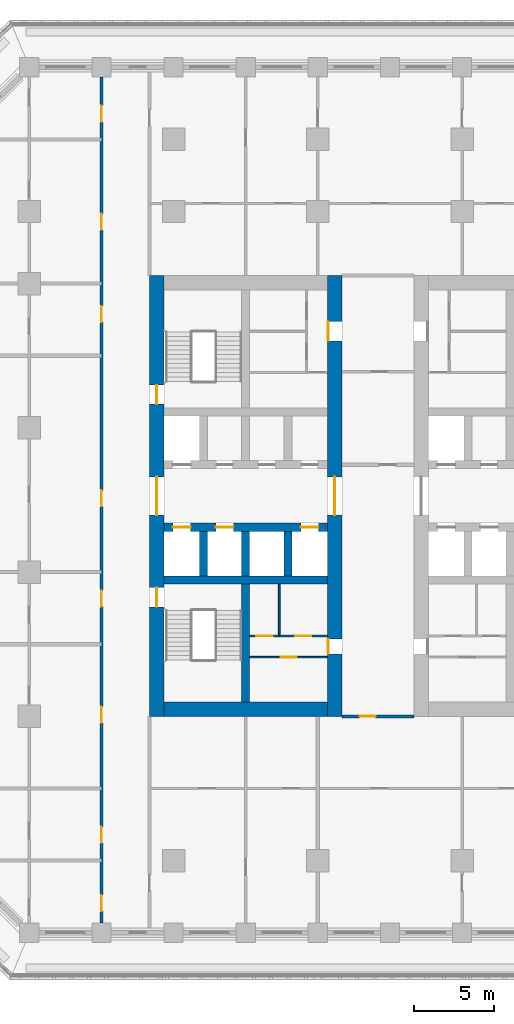
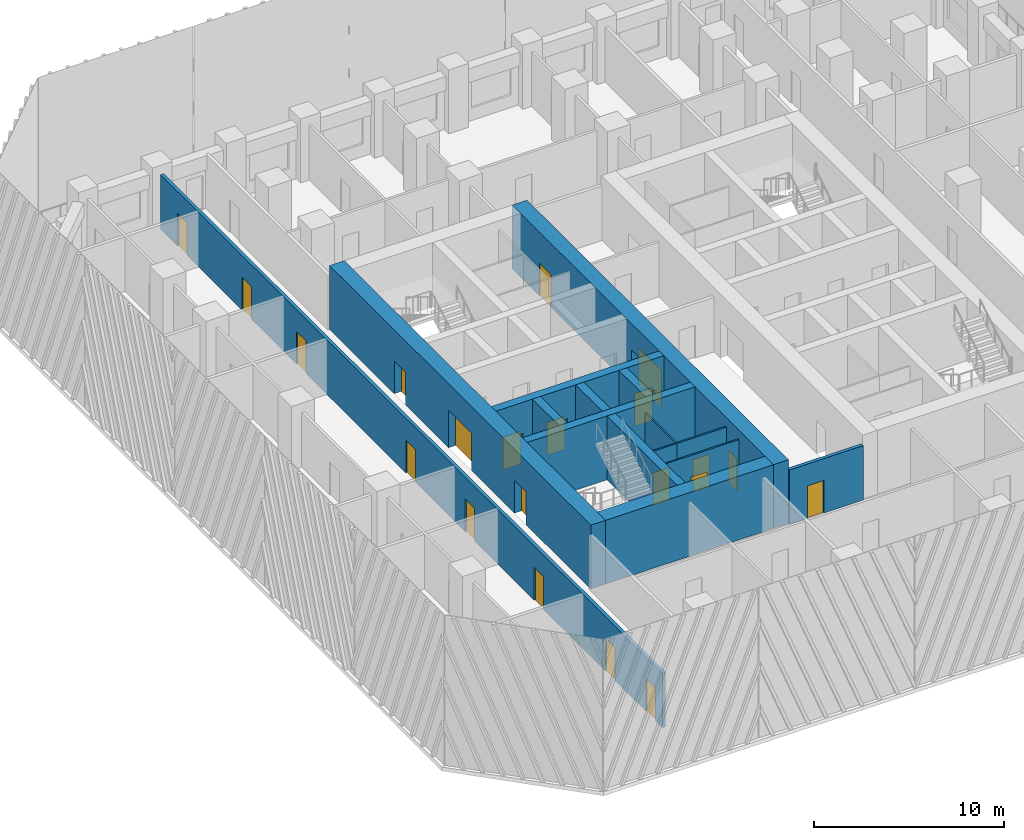
# One storey, part 4 of 20: 21 doors, 15 walls, 21 openings.
"""IFC4 building model written with IfcOpenShell, lengths in metres."""

from ifc_helpers import new_model, si_unit, direction, frame, frame_2d, origin, place, context, subcontext, project, spatial, rectangle, extrude, material, layer, layer_set, type_object, element, fill, save


model = new_model("IFC4")

# Units and contexts
model_context = context("Model", 3, precision=1e-05, world=origin(), true_north=direction((0.0, 1.0)))
body_context = subcontext(model_context, "Body", "Model", "MODEL_VIEW")
ifc_project = project(units=[si_unit("LENGTHUNIT", "METRE"), si_unit("AREAUNIT", "SQUARE_METRE"), si_unit("VOLUMEUNIT", "CUBIC_METRE"), si_unit("PLANEANGLEUNIT", "RADIAN"), si_unit("MASSUNIT", "GRAM", prefix="KILO")], contexts=[model_context])

# Site, building, storey
site_placement = place(None, origin())
site = spatial("IfcSite", under=ifc_project, at=site_placement, CompositionType="ELEMENT")
building_placement = place(site_placement, origin())
building = spatial("IfcBuilding", under=site, at=building_placement, Name="Corbel Stack Research Tower", CompositionType="ELEMENT")
storey_placement = place(building_placement, frame((0.0, 0.0, 106.60009765625)))
storey = spatial("IfcBuildingStorey", under=building, at=storey_placement, Name="L24", CompositionType="ELEMENT", Elevation=106.60009765625)

# Wall
ifc_material_1 = material(Name="Concrete C70/85", Category="concrete")
ifc_layer_1 = layer(ifc_material_1, 0.5)
ifc_layer_set_1 = layer_set([ifc_layer_1], Name="Concrete C70/85")
wall_type_1 = type_object("IfcWallType", Name="CW-500-70", PredefinedType="SHEAR", material=ifc_layer_set_1)
wall_1_placement = place(storey_placement, frame((-9.60009765625, -0.5, 0.0), z_axis=(0.0, 0.0, 1.0), x_axis=(1.0, 0.0, 0.0)))
element("IfcWall", 1, at=wall_1_placement, inside=storey, type_object=wall_type_1, Name="West core wall, south row back L24", PredefinedType="SHEAR", context=body_context, shape_type="SweptSolid", body=[
    extrude(rectangle(XDim=10.2001953125, YDim=0.5, at=frame_2d((5.10009765625, 0.0))), origin(), (0.0, 0.0, 1.0), 4.099853515625),
])

# Wall, openings, doors
wall_2_placement = place(storey_placement, frame((-9.60009765625, 2.800048828125, 0.0), z_axis=(0.0, 0.0, 1.0), x_axis=(1.0, 0.0, 0.0)))
wall_2 = element("IfcWall", 2, at=wall_2_placement, inside=storey, type_object=wall_type_1, Name="West core wall, lobby south L24", PredefinedType="SHEAR", context=body_context, shape_type="SweptSolid", body=[
    extrude(rectangle(XDim=10.2001953125, YDim=0.5, at=frame_2d((5.10009765625, 0.0))), origin(), (0.0, 0.0, 1.0), 4.099853515625),
])
opening_1_placement = place(wall_2_placement, frame((0.5625, 0.0, 0.0)))
opening_1 = element("IfcOpeningElement", 3, at=opening_1_placement, cuts=wall_2, Name="Opening LD-FS1", PredefinedType="OPENING", context=body_context, shape_type="SweptSolid", body=[
    extrude(rectangle(XDim=1.10009765625, YDim=2.10009765625, at=frame_2d((0.550048828125, 1.050048828125))), frame((0.0, 0.260009765625, 0.0), z_axis=(0.0, -1.0, 0.0), x_axis=(1.0, 0.0, 0.0)), (0.0, 0.0, 1.0), 0.52001953125),
])
opening_2_placement = place(wall_2_placement, frame((3.237548828125, 0.0, 0.0)))
opening_2 = element("IfcOpeningElement", 4, at=opening_2_placement, cuts=wall_2, Name="Opening LD-GL1", PredefinedType="OPENING", context=body_context, shape_type="SweptSolid", body=[
    extrude(rectangle(XDim=1.10009765625, YDim=2.10009765625, at=frame_2d((0.550048828125, 1.050048828125))), frame((0.0, 0.260009765625, 0.0), z_axis=(0.0, -1.0, 0.0), x_axis=(1.0, 0.0, 0.0)), (0.0, 0.0, 1.0), 0.52001953125),
])
opening_3_placement = place(wall_2_placement, frame((8.53759765625, 0.0, 0.0)))
opening_3 = element("IfcOpeningElement", 5, at=opening_3_placement, cuts=wall_2, Name="Opening LD-LR1", PredefinedType="OPENING", context=body_context, shape_type="SweptSolid", body=[
    extrude(rectangle(XDim=1.10009765625, YDim=2.10009765625, at=frame_2d((0.550048828125, 1.050048828125))), frame((0.0, 0.260009765625, 0.0), z_axis=(0.0, -1.0, 0.0), x_axis=(1.0, 0.0, 0.0)), (0.0, 0.0, 1.0), 0.52001953125),
])
ifc_material_2 = material(Name="Stainless steel landing door", Category="steel")
door_type_1 = type_object("IfcDoorType", Name="Lift landing door 1100 x 2100", OperationType="DOUBLE_DOOR_SLIDING", PredefinedType="DOOR", material=ifc_material_2)
door_1_placement = place(opening_1_placement, origin())
door_1 = element("IfcDoor", 6, at=door_1_placement, inside=storey, type_object=door_type_1, Name="Landing door FS1", OperationType="DOUBLE_DOOR_SLIDING", OverallHeight=2.10009765625, OverallWidth=1.10009765625, PredefinedType="DOOR", context=body_context, shape_type="SweptSolid", body=[
    extrude(rectangle(XDim=1.10009765625, YDim=2.10009765625, at=frame_2d((0.550048828125, 1.050048828125))), frame((0.0, 0.02490234375, 0.0), z_axis=(0.0, -1.0, 0.0), x_axis=(1.0, 0.0, 0.0)), (0.0, 0.0, 1.0), 0.050048828125),
])
fill(opening_1, door_1)
door_2_placement = place(opening_2_placement, origin())
door_2 = element("IfcDoor", 7, at=door_2_placement, inside=storey, type_object=door_type_1, Name="Landing door GL1", OperationType="DOUBLE_DOOR_SLIDING", OverallHeight=2.10009765625, OverallWidth=1.10009765625, PredefinedType="DOOR", context=body_context, shape_type="SweptSolid", body=[
    extrude(rectangle(XDim=1.10009765625, YDim=2.10009765625, at=frame_2d((0.550048828125, 1.050048828125))), frame((0.0, 0.02490234375, 0.0), z_axis=(0.0, -1.0, 0.0), x_axis=(1.0, 0.0, 0.0)), (0.0, 0.0, 1.0), 0.050048828125),
])
fill(opening_2, door_2)
door_3_placement = place(opening_3_placement, origin())
door_3 = element("IfcDoor", 8, at=door_3_placement, inside=storey, type_object=door_type_1, Name="Landing door LR1", OperationType="DOUBLE_DOOR_SLIDING", OverallHeight=2.10009765625, OverallWidth=1.10009765625, PredefinedType="DOOR", context=body_context, shape_type="SweptSolid", body=[
    extrude(rectangle(XDim=1.10009765625, YDim=2.10009765625, at=frame_2d((0.550048828125, 1.050048828125))), frame((0.0, 0.02490234375, 0.0), z_axis=(0.0, -1.0, 0.0), x_axis=(1.0, 0.0, 0.0)), (0.0, 0.0, 1.0), 0.050048828125),
])
fill(opening_3, door_3)

# Walls
for number, where, z_axis, x_axis, name in (
    (9, (-7.125, -0.25, 0.0), (0.0, 0.0, 1.0), (0.0, 1.0, 0.0), "West core wall, south shaft 1 L24"),
    (10, (-4.5, -0.25, 0.0), (0.0, 0.0, 1.0), (0.0, 1.0, 0.0), "West core wall, south shaft 2 L24"),
    (11, (-1.875, -0.25, 0.0), (0.0, 0.0, 1.0), (0.0, 1.0, 0.0), "West core wall, south shaft 3 L24"),
):
    element("IfcWall", number, at=place(storey_placement, frame(where, z_axis=z_axis, x_axis=x_axis)), inside=storey, type_object=wall_type_1, Name=name, PredefinedType="SHEAR", context=body_context, shape_type="SweptSolid", body=[
        extrude(rectangle(XDim=2.800048828125, YDim=0.5, at=frame_2d((1.39990234375, 0.0))), origin(), (0.0, 0.0, 1.0), 4.099853515625),
    ])
wall_3_placement = place(storey_placement, frame((-4.5, -8.10009765625, 0.0), z_axis=(0.0, 0.0, 1.0), x_axis=(0.0, 1.0, 0.0)))
element("IfcWall", 12, at=wall_3_placement, inside=storey, type_object=wall_type_1, Name="West core wall, south stair and WC L24", PredefinedType="SHEAR", context=body_context, shape_type="SweptSolid", body=[
    extrude(rectangle(XDim=7.35009765625, YDim=0.5, at=frame_2d((3.675048828125, 0.0))), origin(), (0.0, 0.0, 1.0), 4.099853515625),
])

# Wall, openings, doors
ifc_material_3 = material(Name="Concrete C70/85", Category="concrete")
ifc_layer_2 = layer(ifc_material_3, 0.89990234375)
ifc_layer_set_2 = layer_set([ifc_layer_2], Name="Concrete C70/85")
wall_type_2 = type_object("IfcWallType", Name="CW-900-70", PredefinedType="SHEAR", material=ifc_layer_set_2)
wall_4_placement = place(storey_placement, frame((-10.050048828125, -9.0, 0.0), z_axis=(0.0, 0.0, 1.0), x_axis=(0.0, 1.0, 0.0)))
wall_4 = element("IfcWall", 13, at=wall_4_placement, inside=storey, type_object=wall_type_2, Name="West core wall, west face L24", PredefinedType="SHEAR", context=body_context, shape_type="SweptSolid", body=[
    extrude(rectangle(XDim=27.5, YDim=0.89990234375, at=frame_2d((13.75, 0.0))), origin(), (0.0, 0.0, 1.0), 4.099853515625),
])
opening_4_placement = place(wall_4_placement, frame((12.550048828125, 0.0, 0.0)))
opening_4 = element("IfcOpeningElement", 14, at=opening_4_placement, cuts=wall_4, Name="Opening CD-W-W", PredefinedType="OPENING", context=body_context, shape_type="SweptSolid", body=[
    extrude(rectangle(XDim=2.39990234375, YDim=2.39990234375, at=frame_2d((1.199951171875, 1.199951171875))), frame((0.0, 0.4599609375, 0.0), z_axis=(0.0, -1.0, 0.0), x_axis=(1.0, 0.0, 0.0)), (0.0, 0.0, 1.0), 0.919921875),
])
opening_5_placement = place(wall_4_placement, frame((6.824951171875, 0.0, 0.0)))
opening_5 = element("IfcOpeningElement", 15, at=opening_5_placement, cuts=wall_4, Name="Opening SD-ST-W1", PredefinedType="OPENING", context=body_context, shape_type="SweptSolid", body=[
    extrude(rectangle(XDim=1.199951171875, YDim=2.10009765625, at=frame_2d((0.60009765625, 1.050048828125))), frame((0.0, 0.4599609375, 0.0), z_axis=(0.0, -1.0, 0.0), x_axis=(1.0, 0.0, 0.0)), (0.0, 0.0, 1.0), 0.919921875),
])
opening_6_placement = place(wall_4_placement, frame((19.47509765625, 0.0, 0.0)))
opening_6 = element("IfcOpeningElement", 16, at=opening_6_placement, cuts=wall_4, Name="Opening SD-ST-W2", PredefinedType="OPENING", context=body_context, shape_type="SweptSolid", body=[
    extrude(rectangle(XDim=1.199951171875, YDim=2.10009765625, at=frame_2d((0.60009765625, 1.050048828125))), frame((0.0, 0.4599609375, 0.0), z_axis=(0.0, -1.0, 0.0), x_axis=(1.0, 0.0, 0.0)), (0.0, 0.0, 1.0), 0.919921875),
])
ifc_material_4 = material(Name="Painted steel fire door", Category="steel")
door_type_2 = type_object("IfcDoorType", Name="Lobby door pair 2400 x 2400 FD30S", OperationType="DOUBLE_DOOR_DOUBLE_SWING", PredefinedType="DOOR", material=ifc_material_4)
door_4_placement = place(opening_4_placement, origin())
door_4 = element("IfcDoor", 17, at=door_4_placement, inside=storey, type_object=door_type_2, Name="Lift lobby door W core W", OperationType="DOUBLE_DOOR_DOUBLE_SWING", OverallHeight=2.39990234375, OverallWidth=2.39990234375, PredefinedType="DOOR", context=body_context, shape_type="SweptSolid", body=[
    extrude(rectangle(XDim=2.39990234375, YDim=2.39990234375, at=frame_2d((1.199951171875, 1.199951171875))), frame((0.0, 0.02490234375, 0.0), z_axis=(0.0, -1.0, 0.0), x_axis=(1.0, 0.0, 0.0)), (0.0, 0.0, 1.0), 0.050048828125),
])
fill(opening_4, door_4)
ifc_material_5 = material(Name="Painted steel fire door", Category="steel")
door_type_3 = type_object("IfcDoorType", Name="Stair door 1200 x 2100 FD90 left hand", OperationType="SINGLE_SWING_LEFT", PredefinedType="DOOR", material=ifc_material_5)
door_5_placement = place(opening_5_placement, origin())
door_5 = element("IfcDoor", 18, at=door_5_placement, inside=storey, type_object=door_type_3, Name="Stair door ST-W1", OperationType="SINGLE_SWING_LEFT", OverallHeight=2.10009765625, OverallWidth=1.199951171875, PredefinedType="DOOR", context=body_context, shape_type="SweptSolid", body=[
    extrude(rectangle(XDim=1.199951171875, YDim=2.10009765625, at=frame_2d((0.60009765625, 1.050048828125))), frame((0.0, 0.02490234375, 0.0), z_axis=(0.0, -1.0, 0.0), x_axis=(1.0, 0.0, 0.0)), (0.0, 0.0, 1.0), 0.050048828125),
])
fill(opening_5, door_5)
door_6_placement = place(opening_6_placement, origin())
door_6 = element("IfcDoor", 19, at=door_6_placement, inside=storey, type_object=door_type_3, Name="Stair door ST-W2", OperationType="SINGLE_SWING_LEFT", OverallHeight=2.10009765625, OverallWidth=1.199951171875, PredefinedType="DOOR", context=body_context, shape_type="SweptSolid", body=[
    extrude(rectangle(XDim=1.199951171875, YDim=2.10009765625, at=frame_2d((0.60009765625, 1.050048828125))), frame((0.0, 0.02490234375, 0.0), z_axis=(0.0, -1.0, 0.0), x_axis=(1.0, 0.0, 0.0)), (0.0, 0.0, 1.0), 0.050048828125),
])
fill(opening_6, door_6)

wall_5_placement = place(storey_placement, frame((1.050048828125, -9.0, 0.0), z_axis=(0.0, 0.0, 1.0), x_axis=(0.0, 1.0, 0.0)))
wall_5 = element("IfcWall", 20, at=wall_5_placement, inside=storey, type_object=wall_type_2, Name="West core wall, east face L24", PredefinedType="SHEAR", context=body_context, shape_type="SweptSolid", body=[
    extrude(rectangle(XDim=27.5, YDim=0.89990234375, at=frame_2d((13.75, 0.0))), origin(), (0.0, 0.0, 1.0), 4.099853515625),
])
opening_7_placement = place(wall_5_placement, frame((12.550048828125, 0.0, 0.0)))
opening_7 = element("IfcOpeningElement", 21, at=opening_7_placement, cuts=wall_5, Name="Opening CD-W-E", PredefinedType="OPENING", context=body_context, shape_type="SweptSolid", body=[
    extrude(rectangle(XDim=2.39990234375, YDim=2.39990234375, at=frame_2d((1.199951171875, 1.199951171875))), frame((0.0, 0.4599609375, 0.0), z_axis=(0.0, -1.0, 0.0), x_axis=(1.0, 0.0, 0.0)), (0.0, 0.0, 1.0), 0.919921875),
])
opening_8_placement = place(wall_5_placement, frame((3.89306640625, 0.0, 0.0)))
opening_8 = element("IfcOpeningElement", 22, at=opening_8_placement, cuts=wall_5, Name="Opening CR-W24-W1-923", PredefinedType="OPENING", context=body_context, shape_type="SweptSolid", body=[
    extrude(rectangle(XDim=0.923095703125, YDim=2.10009765625, at=frame_2d((0.46142578125, 1.050048828125))), frame((0.0, 0.4599609375, 0.0), z_axis=(0.0, -1.0, 0.0), x_axis=(1.0, 0.0, 0.0)), (0.0, 0.0, 1.0), 0.919921875),
])
opening_9_placement = place(wall_5_placement, frame((23.427490234375, 0.0, 0.0)))
opening_9 = element("IfcOpeningElement", 23, at=opening_9_placement, cuts=wall_5, Name="Opening CR-W24-R2-1200", PredefinedType="OPENING", context=body_context, shape_type="SweptSolid", body=[
    extrude(rectangle(XDim=1.199951171875, YDim=2.10009765625, at=frame_2d((0.60009765625, 1.050048828125))), frame((0.0, 0.4599609375, 0.0), z_axis=(0.0, -1.0, 0.0), x_axis=(1.0, 0.0, 0.0)), (0.0, 0.0, 1.0), 0.919921875),
])
door_7_placement = place(opening_7_placement, origin())
door_7 = element("IfcDoor", 24, at=door_7_placement, inside=storey, type_object=door_type_2, Name="Lift lobby door W core E", OperationType="DOUBLE_DOOR_DOUBLE_SWING", OverallHeight=2.39990234375, OverallWidth=2.39990234375, PredefinedType="DOOR", context=body_context, shape_type="SweptSolid", body=[
    extrude(rectangle(XDim=2.39990234375, YDim=2.39990234375, at=frame_2d((1.199951171875, 1.199951171875))), frame((0.0, 0.02490234375, 0.0), z_axis=(0.0, -1.0, 0.0), x_axis=(1.0, 0.0, 0.0)), (0.0, 0.0, 1.0), 0.050048828125),
])
fill(opening_7, door_7)
ifc_material_6 = material(Name="Painted steel door", Category="steel")
door_type_4 = type_object("IfcDoorType", Name="Service door 1200 x 2100 FD30 right hand", OperationType="SINGLE_SWING_RIGHT", PredefinedType="DOOR", material=ifc_material_6)
door_8_placement = place(opening_9_placement, origin())
door_8 = element("IfcDoor", 25, at=door_8_placement, inside=storey, type_object=door_type_4, Name="Service passage door W core", OperationType="SINGLE_SWING_RIGHT", OverallHeight=2.10009765625, OverallWidth=1.199951171875, PredefinedType="DOOR", context=body_context, shape_type="SweptSolid", body=[
    extrude(rectangle(XDim=1.199951171875, YDim=2.10009765625, at=frame_2d((0.60009765625, 1.050048828125))), frame((0.0, 0.4248046875, 0.0), z_axis=(0.0, -1.0, 0.0), x_axis=(1.0, 0.0, 0.0)), (0.0, 0.0, 1.0), 0.050048828125),
])
fill(opening_9, door_8)
ifc_material_7 = material(Name="Painted timber door", Category="wood")
door_type_5 = type_object("IfcDoorType", Name="WC door 923 x 2100 left hand", OperationType="SINGLE_SWING_LEFT", PredefinedType="DOOR", material=ifc_material_7)
door_9_placement = place(opening_8_placement, origin())
door_9 = element("IfcDoor", 26, at=door_9_placement, inside=storey, type_object=door_type_5, Name="WC lobby door W core", OperationType="SINGLE_SWING_LEFT", OverallHeight=2.10009765625, OverallWidth=0.923095703125, PredefinedType="DOOR", context=body_context, shape_type="SweptSolid", body=[
    extrude(rectangle(XDim=0.923095703125, YDim=2.10009765625, at=frame_2d((0.46142578125, 1.050048828125))), frame((0.0, 0.4248046875, 0.0), z_axis=(0.0, -1.0, 0.0), x_axis=(1.0, 0.0, 0.0)), (0.0, 0.0, 1.0), 0.050048828125),
])
fill(opening_8, door_9)

# Wall
wall_6_placement = place(storey_placement, frame((-9.60009765625, -8.550048828125, 0.0), z_axis=(0.0, 0.0, 1.0), x_axis=(1.0, 0.0, 0.0)))
element("IfcWall", 27, at=wall_6_placement, inside=storey, type_object=wall_type_2, Name="West core wall, south end L24", PredefinedType="SHEAR", context=body_context, shape_type="SweptSolid", body=[
    extrude(rectangle(XDim=10.2001953125, YDim=0.89990234375, at=frame_2d((5.10009765625, 0.0))), origin(), (0.0, 0.0, 1.0), 4.099853515625),
])

# Wall, opening, door
ifc_material_8 = material(Name="Gypsum board")
ifc_layer_3 = layer(ifc_material_8, 0.10009765625)
ifc_layer_set_3 = layer_set([ifc_layer_3], Name="Gypsum board")
wall_type_3 = type_object("IfcWallType", Name="Core partition 100", PredefinedType="PARTITIONING", material=ifc_layer_set_3)
wall_7_placement = place(storey_placement, frame((-4.25, -5.306884765625, 0.0), z_axis=(0.0, 0.0, 1.0), x_axis=(1.0, 0.0, 0.0)))
wall_7 = element("IfcWall", 28, at=wall_7_placement, inside=storey, type_object=wall_type_3, Name="Core partition W", PredefinedType="PARTITIONING", context=body_context, shape_type="SweptSolid", body=[
    extrude(rectangle(XDim=4.85009765625, YDim=0.10009765625, at=frame_2d((2.425048828125, 0.0))), origin(), (0.0, 0.0, 1.0), 3.5),
])
opening_10_placement = place(wall_7_placement, frame((1.925048828125, 0.0, 0.0)))
opening_10 = element("IfcOpeningElement", 29, at=opening_10_placement, cuts=wall_7, Name="Opening CR-W24-W2-1000", PredefinedType="OPENING", context=body_context, shape_type="SweptSolid", body=[
    extrude(rectangle(XDim=1.0, YDim=2.10009765625, at=frame_2d((0.5, 1.050048828125))), frame((0.0, 0.06005859375, 0.0), z_axis=(0.0, -1.0, 0.0), x_axis=(1.0, 0.0, 0.0)), (0.0, 0.0, 1.0), 0.1201171875),
])
ifc_material_9 = material(Name="Painted timber door", Category="wood")
door_type_6 = type_object("IfcDoorType", Name="WC door 1000 x 2100 right hand", OperationType="SINGLE_SWING_RIGHT", PredefinedType="DOOR", material=ifc_material_9)
door_10_placement = place(opening_10_placement, origin())
door_10 = element("IfcDoor", 30, at=door_10_placement, inside=storey, type_object=door_type_6, Name="Men's WC door W core", OperationType="SINGLE_SWING_RIGHT", OverallHeight=2.10009765625, OverallWidth=1.0, PredefinedType="DOOR", context=body_context, shape_type="SweptSolid", body=[
    extrude(rectangle(XDim=1.0, YDim=2.10009765625, at=frame_2d((0.5, 1.050048828125))), frame((0.0, 0.02490234375, 0.0), z_axis=(0.0, -1.0, 0.0), x_axis=(1.0, 0.0, 0.0)), (0.0, 0.0, 1.0), 0.050048828125),
])
fill(opening_10, door_10)

wall_8_placement = place(storey_placement, frame((-2.406982421875, -3.98388671875, 0.0), z_axis=(0.0, 0.0, 1.0), x_axis=(1.0, 0.0, 0.0)))
wall_8 = element("IfcWall", 31, at=wall_8_placement, inside=storey, type_object=wall_type_3, Name="Core partition W", PredefinedType="PARTITIONING", context=body_context, shape_type="SweptSolid", body=[
    extrude(rectangle(XDim=3.007080078125, YDim=0.10009765625, at=frame_2d((1.50341796875, 0.0))), origin(), (0.0, 0.0, 1.0), 3.5),
])
opening_11_placement = place(wall_8_placement, frame((1.00341796875, 0.0, 0.0)))
opening_11 = element("IfcOpeningElement", 32, at=opening_11_placement, cuts=wall_8, Name="Opening CR-W24-W3-1000", PredefinedType="OPENING", context=body_context, shape_type="SweptSolid", body=[
    extrude(rectangle(XDim=1.0, YDim=2.10009765625, at=frame_2d((0.5, 1.050048828125))), frame((0.0, 0.06005859375, 0.0), z_axis=(0.0, -1.0, 0.0), x_axis=(1.0, 0.0, 0.0)), (0.0, 0.0, 1.0), 0.1201171875),
])
ifc_material_10 = material(Name="Painted timber door", Category="wood")
door_type_7 = type_object("IfcDoorType", Name="WC door 1000 x 2100 left hand", OperationType="SINGLE_SWING_LEFT", PredefinedType="DOOR", material=ifc_material_10)
door_11_placement = place(opening_11_placement, origin())
door_11 = element("IfcDoor", 33, at=door_11_placement, inside=storey, type_object=door_type_7, Name="Women's WC door W core", OperationType="SINGLE_SWING_LEFT", OverallHeight=2.10009765625, OverallWidth=1.0, PredefinedType="DOOR", context=body_context, shape_type="SweptSolid", body=[
    extrude(rectangle(XDim=1.0, YDim=2.10009765625, at=frame_2d((0.5, 1.050048828125))), frame((0.0, 0.02490234375, 0.0), z_axis=(0.0, -1.0, 0.0), x_axis=(1.0, 0.0, 0.0)), (0.0, 0.0, 1.0), 0.050048828125),
])
fill(opening_11, door_11)

wall_9_placement = place(storey_placement, frame((-4.25, -3.98388671875, 0.0), z_axis=(0.0, 0.0, 1.0), x_axis=(1.0, 0.0, 0.0)))
wall_9 = element("IfcWall", 34, at=wall_9_placement, inside=storey, type_object=wall_type_3, Name="Core partition W", PredefinedType="PARTITIONING", context=body_context, shape_type="SweptSolid", body=[
    extrude(rectangle(XDim=1.843017578125, YDim=0.10009765625, at=frame_2d((0.92138671875, 0.0))), origin(), (0.0, 0.0, 1.0), 3.5),
])
opening_12_placement = place(wall_9_placement, frame((0.42138671875, 0.0, 0.0)))
opening_12 = element("IfcOpeningElement", 35, at=opening_12_placement, cuts=wall_9, Name="Opening CR-W24-W4-1000", PredefinedType="OPENING", context=body_context, shape_type="SweptSolid", body=[
    extrude(rectangle(XDim=1.0, YDim=2.10009765625, at=frame_2d((0.5, 1.050048828125))), frame((0.0, 0.06005859375, 0.0), z_axis=(0.0, -1.0, 0.0), x_axis=(1.0, 0.0, 0.0)), (0.0, 0.0, 1.0), 0.1201171875),
])
door_12_placement = place(opening_12_placement, origin())
door_12 = element("IfcDoor", 36, at=door_12_placement, inside=storey, type_object=door_type_6, Name="Accessible WC door W core", OperationType="SINGLE_SWING_RIGHT", OverallHeight=2.10009765625, OverallWidth=1.0, PredefinedType="DOOR", context=body_context, shape_type="SweptSolid", body=[
    extrude(rectangle(XDim=1.0, YDim=2.10009765625, at=frame_2d((0.5, 1.050048828125))), frame((0.0, 0.02490234375, 0.0), z_axis=(0.0, -1.0, 0.0), x_axis=(1.0, 0.0, 0.0)), (0.0, 0.0, 1.0), 0.050048828125),
])
fill(opening_12, door_12)

# Wall
wall_10_placement = place(storey_placement, frame((-2.406982421875, -3.98388671875, 0.0), z_axis=(0.0, 0.0, 1.0), x_axis=(0.0, 1.0, 0.0)))
element("IfcWall", 37, at=wall_10_placement, inside=storey, type_object=wall_type_3, Name="Core partition W", PredefinedType="PARTITIONING", context=body_context, shape_type="SweptSolid", body=[
    extrude(rectangle(XDim=3.23388671875, YDim=0.10009765625, at=frame_2d((1.616943359375, 0.0))), origin(), (0.0, 0.0, 1.0), 3.5),
])

# Wall, openings, doors
ifc_material_11 = material(Name="Fire-rated gypsum board partition on steel studs", Category="steel")
ifc_layer_4 = layer(ifc_material_11, 0.199951171875)
ifc_layer_set_4 = layer_set([ifc_layer_4], Name="Fire-rated gypsum board partition on steel studs")
wall_type_4 = type_object("IfcWallType", Name="Fire-rated partition 200 EI 60", PredefinedType="PARTITIONING", material=ifc_layer_set_4)
wall_11_placement = place(storey_placement, frame((-13.5, -21.89990234375, 0.0), z_axis=(0.0, 0.0, 1.0), x_axis=(0.0, 1.0, 0.0)))
wall_11 = element("IfcWall", 38, at=wall_11_placement, inside=storey, type_object=wall_type_4, Name="Partition L24-007", PredefinedType="PARTITIONING", context=body_context, shape_type="SweptSolid", body=[
    extrude(rectangle(XDim=52.7998046875, YDim=0.199951171875, at=frame_2d((26.39990234375, 0.0))), origin(), (0.0, 0.0, 1.0), 3.5),
])
opening_13_placement = place(wall_11_placement, frame((0.75, 0.0, 0.0)))
opening_13 = element("IfcOpeningElement", 39, at=opening_13_placement, cuts=wall_11, Name="Opening B3V2-009", PredefinedType="OPENING", context=body_context, shape_type="SweptSolid", body=[
    extrude(rectangle(XDim=1.0, YDim=2.10009765625, at=frame_2d((0.5, 1.050048828125))), frame((0.0, 0.10986328125, 0.0), z_axis=(0.0, -1.0, 0.0), x_axis=(1.0, 0.0, 0.0)), (0.0, 0.0, 1.0), 0.219970703125),
])
opening_14_placement = place(wall_11_placement, frame((5.0, 0.0, 0.0)))
opening_14 = element("IfcOpeningElement", 40, at=opening_14_placement, cuts=wall_11, Name="Opening B3V2-010", PredefinedType="OPENING", context=body_context, shape_type="SweptSolid", body=[
    extrude(rectangle(XDim=1.0, YDim=2.10009765625, at=frame_2d((0.5, 1.050048828125))), frame((0.0, 0.10986328125, 0.0), z_axis=(0.0, -1.0, 0.0), x_axis=(1.0, 0.0, 0.0)), (0.0, 0.0, 1.0), 0.219970703125),
])
opening_15_placement = place(wall_11_placement, frame((12.5, 0.0, 0.0)))
opening_15 = element("IfcOpeningElement", 41, at=opening_15_placement, cuts=wall_11, Name="Opening B3V2-011", PredefinedType="OPENING", context=body_context, shape_type="SweptSolid", body=[
    extrude(rectangle(XDim=1.0, YDim=2.10009765625, at=frame_2d((0.5, 1.050048828125))), frame((0.0, 0.10986328125, 0.0), z_axis=(0.0, -1.0, 0.0), x_axis=(1.0, 0.0, 0.0)), (0.0, 0.0, 1.0), 0.219970703125),
])
opening_16_placement = place(wall_11_placement, frame((19.75, 0.0, 0.0)))
opening_16 = element("IfcOpeningElement", 42, at=opening_16_placement, cuts=wall_11, Name="Opening B3V2-013", PredefinedType="OPENING", context=body_context, shape_type="SweptSolid", body=[
    extrude(rectangle(XDim=1.0, YDim=2.10009765625, at=frame_2d((0.5, 1.050048828125))), frame((0.0, 0.10986328125, 0.0), z_axis=(0.0, -1.0, 0.0), x_axis=(1.0, 0.0, 0.0)), (0.0, 0.0, 1.0), 0.219970703125),
])
opening_17_placement = place(wall_11_placement, frame((26.0, 0.0, 0.0)))
opening_17 = element("IfcOpeningElement", 43, at=opening_17_placement, cuts=wall_11, Name="Opening B3V2-016", PredefinedType="OPENING", context=body_context, shape_type="SweptSolid", body=[
    extrude(rectangle(XDim=1.0, YDim=2.10009765625, at=frame_2d((0.5, 1.050048828125))), frame((0.0, 0.10986328125, 0.0), z_axis=(0.0, -1.0, 0.0), x_axis=(1.0, 0.0, 0.0)), (0.0, 0.0, 1.0), 0.219970703125),
])
opening_18_placement = place(wall_11_placement, frame((37.5, 0.0, 0.0)))
opening_18 = element("IfcOpeningElement", 44, at=opening_18_placement, cuts=wall_11, Name="Opening B3V2-019", PredefinedType="OPENING", context=body_context, shape_type="SweptSolid", body=[
    extrude(rectangle(XDim=1.0, YDim=2.10009765625, at=frame_2d((0.5, 1.050048828125))), frame((0.0, 0.10986328125, 0.0), z_axis=(0.0, -1.0, 0.0), x_axis=(1.0, 0.0, 0.0)), (0.0, 0.0, 1.0), 0.219970703125),
])
opening_19_placement = place(wall_11_placement, frame((43.25, 0.0, 0.0)))
opening_19 = element("IfcOpeningElement", 45, at=opening_19_placement, cuts=wall_11, Name="Opening B3V2-020", PredefinedType="OPENING", context=body_context, shape_type="SweptSolid", body=[
    extrude(rectangle(XDim=1.0, YDim=2.10009765625, at=frame_2d((0.5, 1.050048828125))), frame((0.0, 0.10986328125, 0.0), z_axis=(0.0, -1.0, 0.0), x_axis=(1.0, 0.0, 0.0)), (0.0, 0.0, 1.0), 0.219970703125),
])
opening_20_placement = place(wall_11_placement, frame((50.0, 0.0, 0.0)))
opening_20 = element("IfcOpeningElement", 46, at=opening_20_placement, cuts=wall_11, Name="Opening B3V2-021", PredefinedType="OPENING", context=body_context, shape_type="SweptSolid", body=[
    extrude(rectangle(XDim=1.0, YDim=2.10009765625, at=frame_2d((0.5, 1.050048828125))), frame((0.0, 0.10986328125, 0.0), z_axis=(0.0, -1.0, 0.0), x_axis=(1.0, 0.0, 0.0)), (0.0, 0.0, 1.0), 0.219970703125),
])
ifc_material_12 = material(Name="Painted steel fire door", Category="steel")
door_type_8 = type_object("IfcDoorType", Name="Fire door FD30S 1000 x 2100", OperationType="NOTDEFINED", PredefinedType="DOOR", material=ifc_material_12)
door_13_placement = place(opening_13_placement, origin())
door_13 = element("IfcDoor", 47, at=door_13_placement, inside=storey, type_object=door_type_8, Name="Door B3V2-009", OperationType="SINGLE_SWING_LEFT", OverallHeight=2.10009765625, OverallWidth=1.0, PredefinedType="DOOR", context=body_context, shape_type="SweptSolid", body=[
    extrude(rectangle(XDim=1.0, YDim=2.10009765625, at=frame_2d((0.5, 1.050048828125))), frame((0.0, 0.02490234375, 0.0), z_axis=(0.0, -1.0, 0.0), x_axis=(1.0, 0.0, 0.0)), (0.0, 0.0, 1.0), 0.050048828125),
])
fill(opening_13, door_13)
door_14_placement = place(opening_14_placement, origin())
door_14 = element("IfcDoor", 48, at=door_14_placement, inside=storey, type_object=door_type_8, Name="Door B3V2-010", OperationType="SINGLE_SWING_LEFT", OverallHeight=2.10009765625, OverallWidth=1.0, PredefinedType="DOOR", context=body_context, shape_type="SweptSolid", body=[
    extrude(rectangle(XDim=1.0, YDim=2.10009765625, at=frame_2d((0.5, 1.050048828125))), frame((0.0, 0.02490234375, 0.0), z_axis=(0.0, -1.0, 0.0), x_axis=(1.0, 0.0, 0.0)), (0.0, 0.0, 1.0), 0.050048828125),
])
fill(opening_14, door_14)
door_15_placement = place(opening_15_placement, origin())
door_15 = element("IfcDoor", 49, at=door_15_placement, inside=storey, type_object=door_type_8, Name="Door B3V2-011", OperationType="SINGLE_SWING_LEFT", OverallHeight=2.10009765625, OverallWidth=1.0, PredefinedType="DOOR", context=body_context, shape_type="SweptSolid", body=[
    extrude(rectangle(XDim=1.0, YDim=2.10009765625, at=frame_2d((0.5, 1.050048828125))), frame((0.0, 0.02490234375, 0.0), z_axis=(0.0, -1.0, 0.0), x_axis=(1.0, 0.0, 0.0)), (0.0, 0.0, 1.0), 0.050048828125),
])
fill(opening_15, door_15)
door_16_placement = place(opening_16_placement, origin())
door_16 = element("IfcDoor", 50, at=door_16_placement, inside=storey, type_object=door_type_8, Name="Door B3V2-013", OperationType="SINGLE_SWING_LEFT", OverallHeight=2.10009765625, OverallWidth=1.0, PredefinedType="DOOR", context=body_context, shape_type="SweptSolid", body=[
    extrude(rectangle(XDim=1.0, YDim=2.10009765625, at=frame_2d((0.5, 1.050048828125))), frame((0.0, 0.02490234375, 0.0), z_axis=(0.0, -1.0, 0.0), x_axis=(1.0, 0.0, 0.0)), (0.0, 0.0, 1.0), 0.050048828125),
])
fill(opening_16, door_16)
door_17_placement = place(opening_17_placement, origin())
door_17 = element("IfcDoor", 51, at=door_17_placement, inside=storey, type_object=door_type_8, Name="Door B3V2-016", OperationType="SINGLE_SWING_RIGHT", OverallHeight=2.10009765625, OverallWidth=1.0, PredefinedType="DOOR", context=body_context, shape_type="SweptSolid", body=[
    extrude(rectangle(XDim=1.0, YDim=2.10009765625, at=frame_2d((0.5, 1.050048828125))), frame((0.0, 0.02490234375, 0.0), z_axis=(0.0, -1.0, 0.0), x_axis=(1.0, 0.0, 0.0)), (0.0, 0.0, 1.0), 0.050048828125),
])
fill(opening_17, door_17)
door_18_placement = place(opening_18_placement, origin())
door_18 = element("IfcDoor", 52, at=door_18_placement, inside=storey, type_object=door_type_8, Name="Door B3V2-019", OperationType="SINGLE_SWING_RIGHT", OverallHeight=2.10009765625, OverallWidth=1.0, PredefinedType="DOOR", context=body_context, shape_type="SweptSolid", body=[
    extrude(rectangle(XDim=1.0, YDim=2.10009765625, at=frame_2d((0.5, 1.050048828125))), frame((0.0, 0.02490234375, 0.0), z_axis=(0.0, -1.0, 0.0), x_axis=(1.0, 0.0, 0.0)), (0.0, 0.0, 1.0), 0.050048828125),
])
fill(opening_18, door_18)
door_19_placement = place(opening_19_placement, origin())
door_19 = element("IfcDoor", 53, at=door_19_placement, inside=storey, type_object=door_type_8, Name="Door B3V2-020", OperationType="SINGLE_SWING_RIGHT", OverallHeight=2.10009765625, OverallWidth=1.0, PredefinedType="DOOR", context=body_context, shape_type="SweptSolid", body=[
    extrude(rectangle(XDim=1.0, YDim=2.10009765625, at=frame_2d((0.5, 1.050048828125))), frame((0.0, 0.02490234375, 0.0), z_axis=(0.0, -1.0, 0.0), x_axis=(1.0, 0.0, 0.0)), (0.0, 0.0, 1.0), 0.050048828125),
])
fill(opening_19, door_19)
door_20_placement = place(opening_20_placement, origin())
door_20 = element("IfcDoor", 54, at=door_20_placement, inside=storey, type_object=door_type_8, Name="Door B3V2-021", OperationType="SINGLE_SWING_RIGHT", OverallHeight=2.10009765625, OverallWidth=1.0, PredefinedType="DOOR", context=body_context, shape_type="SweptSolid", body=[
    extrude(rectangle(XDim=1.0, YDim=2.10009765625, at=frame_2d((0.5, 1.050048828125))), frame((0.0, 0.02490234375, 0.0), z_axis=(0.0, -1.0, 0.0), x_axis=(1.0, 0.0, 0.0)), (0.0, 0.0, 1.0), 0.050048828125),
])
fill(opening_20, door_20)

# Wall, opening, door
wall_12_placement = place(storey_placement, frame((6.0, -9.0, 0.0), z_axis=(0.0, 0.0, 1.0), x_axis=(-1.0, 0.0, 0.0)))
wall_12 = element("IfcWall", 55, at=wall_12_placement, inside=storey, type_object=wall_type_4, Name="Partition L24-037", PredefinedType="PARTITIONING", context=body_context, shape_type="SweptSolid", body=[
    extrude(rectangle(XDim=4.5, YDim=0.199951171875, at=frame_2d((2.25, 0.0))), origin(), (0.0, 0.0, 1.0), 3.5),
])
opening_21_placement = place(wall_12_placement, frame((2.39990234375, 0.0, 0.0)))
opening_21 = element("IfcOpeningElement", 56, at=opening_21_placement, cuts=wall_12, Name="Opening B3V2-024", PredefinedType="OPENING", context=body_context, shape_type="SweptSolid", body=[
    extrude(rectangle(XDim=1.0, YDim=2.10009765625, at=frame_2d((0.5, 1.050048828125))), frame((0.0, 0.10986328125, 0.0), z_axis=(0.0, -1.0, 0.0), x_axis=(1.0, 0.0, 0.0)), (0.0, 0.0, 1.0), 0.219970703125),
])
door_21_placement = place(opening_21_placement, origin())
door_21 = element("IfcDoor", 57, at=door_21_placement, inside=storey, type_object=door_type_8, Name="Door B3V2-024", OperationType="SINGLE_SWING_RIGHT", OverallHeight=2.10009765625, OverallWidth=1.0, PredefinedType="DOOR", context=body_context, shape_type="SweptSolid", body=[
    extrude(rectangle(XDim=1.0, YDim=2.10009765625, at=frame_2d((0.5, 1.050048828125))), frame((0.0, 0.02490234375, 0.0), z_axis=(0.0, -1.0, 0.0), x_axis=(1.0, 0.0, 0.0)), (0.0, 0.0, 1.0), 0.050048828125),
])
fill(opening_21, door_21)

save(model, "model.ifc")
